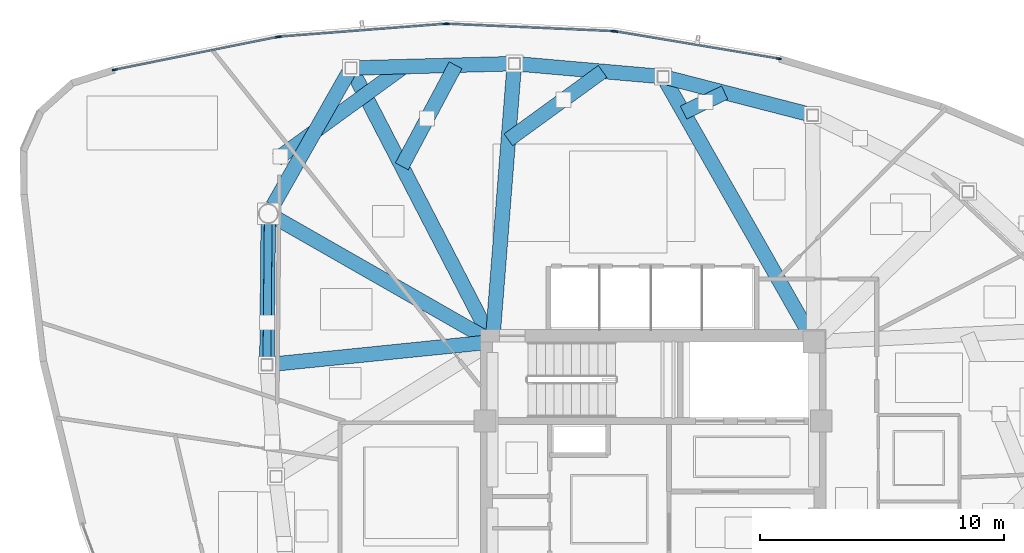
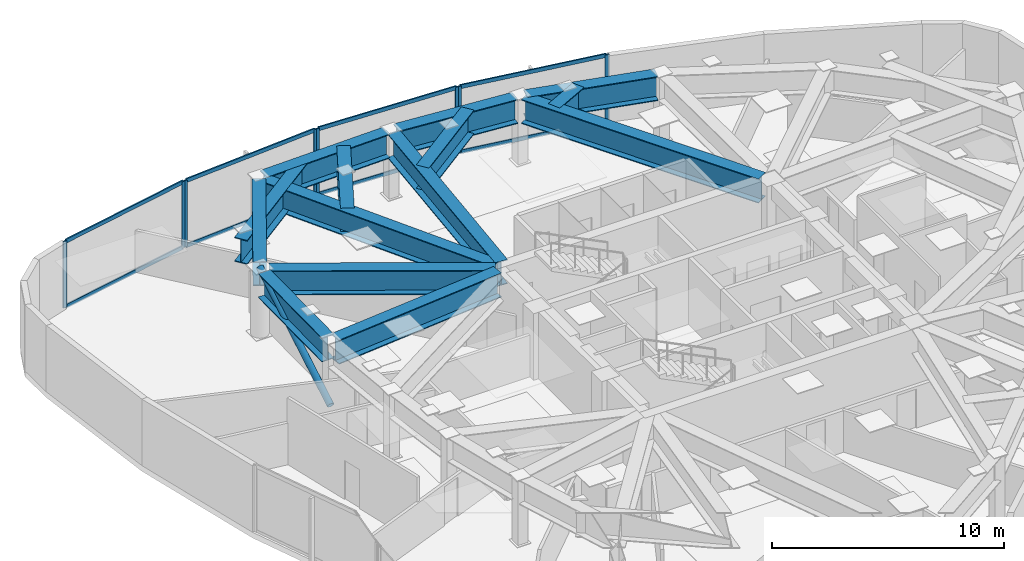
# One storey, part 5 of 13: 17 members, 14 beams, 4 elements without a shape of their own.
"""IFC4 building model written with IfcOpenShell, lengths in metres."""

import ifcopenshell
import ifcopenshell.guid

model = None  # the IFC model being written
_history = None  # IfcOwnerHistory: only IFC2X3 demands one
_inside = {}  # id of a spatial element -> (the spatial element, [elements in it])
_under = {}  # id of a project, library or spatial element -> (it, [spatial elements below it])
_declared = {}  # id of a project -> (the project, [libraries it declares])
_typed = {}  # id of a type object -> (the type object, [elements of that type])
_made_of = {}  # id of a material, layer set ... -> (it, [elements and type objects made of it])


def new_model(schema):
    """Start an empty IFC model of exactly this schema.

    Asked for "IFC4X3", IfcOpenShell would pick the latest addendum, in which some entities
    have other attributes; the version numbers below select the first issue.
    IFC2X3 requires an IfcOwnerHistory on every rooted entity: one is made here for all.
    """
    global model, _history
    if schema == "IFC4X3":
        model = ifcopenshell.file(schema_version=(4, 3, 0, 0))
    else:
        model = ifcopenshell.file(schema=schema)
    _inside.clear()
    _under.clear()
    _declared.clear()
    _typed.clear()
    _made_of.clear()
    _history = None
    if model.schema == "IFC2X3":
        org = make("IfcOrganization", Name="unknown")
        user = make(
            "IfcPersonAndOrganization",
            ThePerson=make("IfcPerson", FamilyName="unknown"),
            TheOrganization=org,
        )
        app = make(
            "IfcApplication",
            ApplicationDeveloper=org,
            Version="unknown",
            ApplicationFullName="unknown",
            ApplicationIdentifier="unknown",
        )
        _history = make(
            "IfcOwnerHistory",
            OwningUser=user,
            OwningApplication=app,
            ChangeAction="ADDED",
            CreationDate=0,
        )
    return model


def make(cls, **values):
    """One entity of the class cls with the attributes given. An attribute that is None is left unset."""
    return model.create_entity(
        cls, **{name: value for name, value in values.items() if value is not None}
    )


def rooted(cls, **values):
    """An entity with a GlobalId (a new one), such as an element, a storey or a relation."""
    return make(cls, GlobalId=ifcopenshell.guid.new(), OwnerHistory=_history, **values)


def si_unit(unit_type, name, prefix=None):
    """IfcSIUnit, for example si_unit("LENGTHUNIT", "METRE", prefix="MILLI")."""
    return make("IfcSIUnit", UnitType=unit_type, Prefix=prefix, Name=name)


def assignment(units):
    """IfcUnitAssignment: the units of a project."""
    return None if units is None else make("IfcUnitAssignment", Units=units)


def point(xyz):
    """IfcCartesianPoint."""
    return None if xyz is None else make("IfcCartesianPoint", Coordinates=xyz)


def direction(xyz):
    """IfcDirection."""
    return None if xyz is None else make("IfcDirection", DirectionRatios=xyz)


def frame(location, z_axis=None, x_axis=None):
    """IfcAxis2Placement3D, a coordinate frame: its origin and axes. An axis left out is left unset."""
    return make(
        "IfcAxis2Placement3D",
        Location=point(location),
        Axis=direction(z_axis),
        RefDirection=direction(x_axis),
    )


def frame_2d(location, x_axis=None):
    """IfcAxis2Placement2D, a coordinate frame in the plane: its origin and x axis."""
    return make(
        "IfcAxis2Placement2D", Location=point(location), RefDirection=direction(x_axis)
    )


def origin():
    """The frame at (0, 0, 0) with its axes left unset."""
    return frame((0.0, 0.0, 0.0))


def origin_2d():
    """The frame at (0, 0) in the plane with its x axis left unset."""
    return frame_2d((0.0, 0.0))


def place(relative_to, where):
    """IfcLocalPlacement: puts the frame where relative to a parent placement (None: the world)."""
    return make(
        "IfcLocalPlacement", PlacementRelTo=relative_to, RelativePlacement=where
    )


def context(
    kind, dimensions, precision=None, world=None, true_north=None, identifier=None
):
    """IfcGeometricRepresentationContext, for example the 3D "Model" context."""
    return make(
        "IfcGeometricRepresentationContext",
        ContextIdentifier=identifier,
        ContextType=kind,
        CoordinateSpaceDimension=dimensions,
        Precision=precision,
        WorldCoordinateSystem=world,
        TrueNorth=true_north,
    )


def subcontext(parent, identifier, kind, view, scale=None):
    """IfcGeometricRepresentationSubContext, for example "Body" below "Model"."""
    return make(
        "IfcGeometricRepresentationSubContext",
        ContextIdentifier=identifier,
        ContextType=kind,
        ParentContext=parent,
        TargetScale=scale,
        TargetView=view,
    )


def project(units=None, contexts=None):
    """IfcProject with its units and contexts."""
    return rooted(
        "IfcProject",
        Name="project",
        RepresentationContexts=contexts,
        UnitsInContext=assignment(units),
    )


def spatial(cls, under=None, at=None, **own):
    """A site, building, storey or space (cls), placed at a placement, below another one or the project."""
    s = rooted(cls, ObjectPlacement=at, **own)
    if under is not None:
        _under.setdefault(under.id(), (under, []))[1].append(s)
    return s


def profile(cls, at=None, kind="AREA", **sizes):
    """A parametric profile (cls). Its sizes go by their IFC names, for example OverallWidth=200.0."""
    return make(cls, ProfileType=kind, Position=at, **sizes)


def hollow_rectangle(**sizes):
    """IfcRectangleHollowProfileDef."""
    return profile("IfcRectangleHollowProfileDef", **sizes)


def hollow_circle(**sizes):
    """IfcCircleHollowProfileDef."""
    return profile("IfcCircleHollowProfileDef", **sizes)


def i_section(**sizes):
    """IfcIShapeProfileDef."""
    return profile("IfcIShapeProfileDef", **sizes)


def extrude(swept, where, along, depth):
    """IfcExtrudedAreaSolid: the profile swept, set in the frame where, extruded along a direction by depth."""
    return make(
        "IfcExtrudedAreaSolid",
        SweptArea=swept,
        Position=where,
        ExtrudedDirection=direction(along),
        Depth=depth,
    )


def shape(context_of_items, identifier, shape_type, items):
    """IfcShapeRepresentation: the items that make up one representation, for example the "Body"."""
    return make(
        "IfcShapeRepresentation",
        ContextOfItems=context_of_items,
        RepresentationIdentifier=identifier,
        RepresentationType=shape_type,
        Items=items,
    )


def source(mapping_origin, context_of_items, identifier, shape_type, items):
    """IfcRepresentationMap: a shape defined once, which mapped items show again and again."""
    return make(
        "IfcRepresentationMap",
        MappingOrigin=mapping_origin,
        MappedRepresentation=shape(context_of_items, identifier, shape_type, items),
    )


def transform(
    local_origin,
    x_axis=None,
    y_axis=None,
    z_axis=None,
    scale=None,
    scale2=None,
    scale3=None,
    uniform=True,
):
    """IfcCartesianTransformationOperator3D, or its non-uniform kind. x_axis, y_axis, z_axis: its Axis1, 2, 3."""
    if uniform:
        return make(
            "IfcCartesianTransformationOperator3D",
            Axis1=direction(x_axis),
            Axis2=direction(y_axis),
            LocalOrigin=point(local_origin),
            Scale=scale,
            Axis3=direction(z_axis),
        )
    return make(
        "IfcCartesianTransformationOperator3DnonUniform",
        Axis1=direction(x_axis),
        Axis2=direction(y_axis),
        LocalOrigin=point(local_origin),
        Scale=scale,
        Axis3=direction(z_axis),
        Scale2=scale2,
        Scale3=scale3,
    )


def mapped(mapping_source, mapping_target):
    """IfcMappedItem: shows the shape of a source again, moved by a transform."""
    return make(
        "IfcMappedItem", MappingSource=mapping_source, MappingTarget=mapping_target
    )


def material(Name=None, Category=None):
    """IfcMaterial."""
    return make("IfcMaterial", Name=Name, Category=Category)


def layer(
    of_material, thickness, ventilated=None, Name=None, Category=None, Priority=None
):
    """IfcMaterialLayer: one layer of a wall or slab, of a material (None: an air gap)."""
    return make(
        "IfcMaterialLayer",
        Material=of_material,
        LayerThickness=thickness,
        IsVentilated=ventilated,
        Name=Name,
        Category=Category,
        Priority=Priority,
    )


def layer_set(layers, Name=None):
    """IfcMaterialLayerSet."""
    return make("IfcMaterialLayerSet", MaterialLayers=layers, LayerSetName=Name)


def material_profile(
    of_material, cross_section, Name=None, Category=None, Priority=None
):
    """IfcMaterialProfile: a cross section and its material."""
    return make(
        "IfcMaterialProfile",
        Name=Name,
        Material=of_material,
        Profile=cross_section,
        Priority=Priority,
        Category=Category,
    )


def profile_set(profiles, Name=None, composite=None):
    """IfcMaterialProfileSet."""
    return make(
        "IfcMaterialProfileSet",
        Name=Name,
        MaterialProfiles=profiles,
        CompositeProfile=composite,
    )


def made_of(thing, what):
    """Note that an element or type object is made of a material, layer set ...; save() writes the relation."""
    if what is not None:
        _made_of.setdefault(what.id(), (what, []))[1].append(thing)
    return thing


def type_object(cls, material=None, **own):
    """A type object (cls), such as IfcWallType, which elements share."""
    return made_of(rooted(cls, **own), material)


def type_shapes(of_type, sources):
    """Give a type object the sources (RepresentationMaps) that its elements show as mapped items."""
    of_type.RepresentationMaps = sources


def element(
    cls,
    number,
    at=None,
    inside=None,
    cuts=None,
    type_object=None,
    material=None,
    context=None,
    identifier="Body",
    shape_type=None,
    held_by="IfcProductDefinitionShape",
    body=None,
    shapes=None,
    **own,
):
    """One element of the class cls, such as IfcWall. Its Tag is "e" and its number.

    at: its placement. inside: the storey or other place that contains it. cuts: it is an
    opening in that element (IfcRelVoidsElement). A single representation is given by context,
    identifier, shape_type and body (its items); several are given by shapes. held_by: the class
    of the entity that holds the representations. save() writes the other relations.
    """
    e = rooted(cls, Tag="e%d" % number, ObjectPlacement=at, **own)
    if body is not None:
        shapes = [shape(context, identifier, shape_type, body)]
    if shapes is not None:
        e.Representation = make(held_by, Representations=shapes)
    if inside is not None:
        _inside.setdefault(inside.id(), (inside, []))[1].append(e)
    if cuts is not None:
        rooted(
            "IfcRelVoidsElement", RelatingBuildingElement=cuts, RelatedOpeningElement=e
        )
    if type_object is not None:
        _typed.setdefault(type_object.id(), (type_object, []))[1].append(e)
    return made_of(e, material)


def aggregate(whole, parts):
    """IfcRelAggregates: a whole, such as a stair, and the parts it consists of."""
    return rooted("IfcRelAggregates", RelatingObject=whole, RelatedObjects=parts)


def save(model, path):
    """Write the relations noted so far, then the file.

    IfcRelAggregates (storeys below a building ...), IfcRelContainedInSpatialStructure (elements
    in a storey), IfcRelDefinesByType, IfcRelAssociatesMaterial and IfcRelDeclares: one each for
    every whole, place, type object, material and project.
    """
    for whole, parts in _under.values():
        aggregate(whole, parts)
    for where, things in _inside.values():
        rooted(
            "IfcRelContainedInSpatialStructure",
            RelatedElements=things,
            RelatingStructure=where,
        )
    for kind, things in _typed.values():
        rooted("IfcRelDefinesByType", RelatedObjects=things, RelatingType=kind)
    for what, things in _made_of.values():
        rooted("IfcRelAssociatesMaterial", RelatedObjects=things, RelatingMaterial=what)
    for by, libraries in _declared.values():
        rooted("IfcRelDeclares", RelatingContext=by, RelatedDefinitions=libraries)
    model.write(path)


model = new_model("IFC4")

# Units and contexts
model_context = context("Model", 3, precision=1e-05, world=origin(), true_north=direction((0.0, 1.0)))
body_context = subcontext(model_context, "Body", "Model", "MODEL_VIEW")
ifc_project = project(units=[si_unit("LENGTHUNIT", "METRE"), si_unit("AREAUNIT", "SQUARE_METRE"), si_unit("VOLUMEUNIT", "CUBIC_METRE"), si_unit("PLANEANGLEUNIT", "RADIAN"), si_unit("MASSUNIT", "GRAM", prefix="KILO")], contexts=[model_context])

# Site, building, storey
site_placement = place(None, origin())
site = spatial("IfcSite", under=ifc_project, at=site_placement, CompositionType="ELEMENT")
building_placement = place(site_placement, origin())
building = spatial("IfcBuilding", under=site, at=building_placement, Name="Tavelor Broadcast Tower", CompositionType="ELEMENT")
storey_placement = place(building_placement, frame((0.0, 0.0, 269.550048828125)))
storey = spatial("IfcBuildingStorey", under=building, at=storey_placement, Name="L64", CompositionType="ELEMENT", Elevation=269.550048828125)

# Member
ifc_material_1 = material(Name="Steel S355", Category="steel")
ifc_material_profile_1 = material_profile(ifc_material_1, hollow_circle(Radius=0.161865234375, WallThickness=0.01611328125, at=origin_2d()), Name="CHS 323.9x16")
ifc_profile_set_1 = profile_set([ifc_material_profile_1], Name="Steel S355")
member_type_1 = type_object("IfcMemberType", Name="Perimeter Tube Brace T6 CHS 323.9x16", PredefinedType="BRACE", material=ifc_profile_set_1)
member_1_placement = place(storey_placement, frame((34.13720703125, 50.255859375, 0.0), z_axis=(0.008293951641, 0.870933467368, 0.491330953415), x_axis=(-0.999954658748, 0.009522628184, 0.0)))
element("IfcMember", 1, at=member_1_placement, inside=storey, type_object=member_type_1, Name="L64 Corner Tube Diagonal Brace 1", PredefinedType="BRACE", context=body_context, shape_type="SweptSolid", body=[
    extrude(hollow_circle(Radius=0.161865234375, WallThickness=0.01611328125, at=origin_2d()), origin(), (0.0, 0.0, 1.0), 7.12353515625),
])

# Beams
ifc_material_2 = material(Name="Steel S460", Category="steel")
ifc_material_profile_2 = material_profile(ifc_material_2, i_section(OverallWidth=0.60009765625, OverallDepth=1.280029296875, WebThickness=0.02587890625, FlangeThickness=0.044921875, at=origin_2d()), Name="PG 1280x600")
ifc_profile_set_2 = profile_set([ifc_material_profile_2], Name="Steel S460")
beam_type = type_object("IfcBeamType", Name="Upper Setback Transfer Girder PG1350", PredefinedType="BEAM", material=ifc_profile_set_2)
beam_1_placement = place(storey_placement, frame((34.192626953125, 56.069580078125, 2.85986328125), z_axis=(-0.009548403943, -0.999954412952, 0.0), x_axis=(0.999954412952, -0.009548403943, 0.0)))
element("IfcBeam", 2, at=beam_1_placement, inside=storey, type_object=beam_type, Name="L64 Framed-Tube Ring Spandrel 01", PredefinedType="BEAM", context=body_context, shape_type="SweptSolid", body=[
    extrude(i_section(OverallWidth=0.60009765625, OverallDepth=1.280029296875, WebThickness=0.02587890625, FlangeThickness=0.044921875, at=origin_2d()), origin(), (0.0, 0.0, 1.0), 5.573974609375),
])
beam_2_placement = place(storey_placement, frame((56.313232421875, 60.56396484375, 2.85986328125), z_axis=(-0.968399822455, 0.249402854572, 0.0), x_axis=(-0.249402854572, -0.968399822455, 0.0)))
element("IfcBeam", 3, at=beam_2_placement, inside=storey, type_object=beam_type, Name="L64 Framed-Tube Ring Spandrel 15", PredefinedType="BEAM", context=body_context, shape_type="SweptSolid", body=[
    extrude(i_section(OverallWidth=0.60009765625, OverallDepth=1.280029296875, WebThickness=0.02587890625, FlangeThickness=0.044921875, at=origin_2d()), origin(), (0.0, 0.0, 1.0), 5.858642578125),
])
beam_3_placement = place(storey_placement, frame((50.168212890625, 62.10595703125, 2.85986328125), z_axis=(-0.996167133993, 0.08747023009, 0.0), x_axis=(-0.08747023009, -0.996167133993, 0.0)))
element("IfcBeam", 4, at=beam_3_placement, inside=storey, type_object=beam_type, Name="L64 Framed-Tube Ring Spandrel 16", PredefinedType="BEAM", context=body_context, shape_type="SweptSolid", body=[
    extrude(i_section(OverallWidth=0.60009765625, OverallDepth=1.280029296875, WebThickness=0.02587890625, FlangeThickness=0.044921875, at=origin_2d()), origin(), (0.0, 0.0, 1.0), 5.652099609375),
])
beam_4_placement = place(storey_placement, frame((44.058837890625, 62.61474609375, 2.85986328125), z_axis=(-0.99963121329, -0.027155798934, 0.0), x_axis=(0.027155798934, -0.99963121329, 0.0)))
element("IfcBeam", 5, at=beam_4_placement, inside=storey, type_object=beam_type, Name="L64 Framed-Tube Ring Spandrel 17", PredefinedType="BEAM", context=body_context, shape_type="SweptSolid", body=[
    extrude(i_section(OverallWidth=0.60009765625, OverallDepth=1.280029296875, WebThickness=0.02587890625, FlangeThickness=0.044921875, at=origin_2d()), origin(), (0.0, 0.0, 1.0), 6.230224609375),
])
beam_5_placement = place(storey_placement, frame((37.472412109375, 62.23046875, 2.85986328125), z_axis=(-0.493720585512, -0.869620597411, 0.0), x_axis=(0.869620597411, -0.493720585512, 0.0)))
element("IfcBeam", 6, at=beam_5_placement, inside=storey, type_object=beam_type, Name="L64 Framed-Tube Ring Spandrel 18", PredefinedType="BEAM", context=body_context, shape_type="SweptSolid", body=[
    extrude(i_section(OverallWidth=0.60009765625, OverallDepth=1.280029296875, WebThickness=0.02587890625, FlangeThickness=0.044921875, at=origin_2d()), origin(), (0.0, 0.0, 1.0), 6.245361328125),
])
beam_6_placement = place(storey_placement, frame((43.02490234375, 51.414306640625, 2.85986328125), z_axis=(-0.868209338365, 0.496198090259, 0.0), x_axis=(-0.496198090259, -0.868209338365, 0.0)))
element("IfcBeam", 7, at=beam_6_placement, inside=storey, type_object=beam_type, Name="L64 Radial Primary Floor Girder 01", PredefinedType="BEAM", context=body_context, shape_type="SweptSolid", body=[
    extrude(i_section(OverallWidth=0.60009765625, OverallDepth=1.280029296875, WebThickness=0.02587890625, FlangeThickness=0.044921875, at=origin_2d()), origin(), (0.0, 0.0, 1.0), 9.778564453125),
])
beam_7_placement = place(storey_placement, frame((42.97021484375, 51.15625, 2.85986328125), z_axis=(-0.994845668858, -0.101400666436, 0.0), x_axis=(0.101400666436, -0.994845668858, 0.0)))
element("IfcBeam", 8, at=beam_7_placement, inside=storey, type_object=beam_type, Name="L64 Radial Primary Floor Girder 02", PredefinedType="BEAM", context=body_context, shape_type="SweptSolid", body=[
    extrude(i_section(OverallWidth=0.60009765625, OverallDepth=1.280029296875, WebThickness=0.02587890625, FlangeThickness=0.044921875, at=origin_2d()), origin(), (0.0, 0.0, 1.0), 8.638671875),
])
beam_8_placement = place(storey_placement, frame((56.386474609375, 51.575439453125, 2.85986328125), z_axis=(-0.49450305234, 0.869175891996, 0.0), x_axis=(-0.869175891996, -0.49450305234, 0.0)))
element("IfcBeam", 9, at=beam_8_placement, inside=storey, type_object=beam_type, Name="L64 Radial Primary Floor Girder 16", PredefinedType="BEAM", context=body_context, shape_type="SweptSolid", body=[
    extrude(i_section(OverallWidth=0.60009765625, OverallDepth=1.280029296875, WebThickness=0.02587890625, FlangeThickness=0.044921875, at=origin_2d()), origin(), (0.0, 0.0, 1.0), 11.8515625),
])
beam_9_placement = place(storey_placement, frame((43.433837890625, 51.630615234375, 2.85986328125), z_axis=(0.078462115784, 0.996917096045, 0.0), x_axis=(-0.996917096045, 0.078462115784, 0.0)))
element("IfcBeam", 10, at=beam_9_placement, inside=storey, type_object=beam_type, Name="L64 Radial Primary Floor Girder 17", PredefinedType="BEAM", context=body_context, shape_type="SweptSolid", body=[
    extrude(i_section(OverallWidth=0.60009765625, OverallDepth=1.280029296875, WebThickness=0.02587890625, FlangeThickness=0.044921875, at=origin_2d()), origin(), (0.0, 0.0, 1.0), 10.78466796875),
])
beam_10_placement = place(storey_placement, frame((43.20166015625, 51.583740234375, 2.85986328125), z_axis=(-0.459156775605, 0.888355252934, 0.0), x_axis=(-0.888355252934, -0.459156775605, 0.0)))
element("IfcBeam", 11, at=beam_10_placement, inside=storey, type_object=beam_type, Name="L64 Radial Primary Floor Girder 18", PredefinedType="BEAM", context=body_context, shape_type="SweptSolid", body=[
    extrude(i_section(OverallWidth=0.60009765625, OverallDepth=1.280029296875, WebThickness=0.02587890625, FlangeThickness=0.044921875, at=origin_2d()), origin(), (0.0, 0.0, 1.0), 11.9794921875),
])
beam_11_placement = place(storey_placement, frame((51.24560546875, 60.611083984375, 2.85986328125), z_axis=(0.898778441589, 0.438403139742, 0.0), x_axis=(-0.438403139742, 0.898778441589, 0.0)))
element("IfcBeam", 12, at=beam_11_placement, inside=storey, type_object=beam_type, Name="L64 Transfer Header Girder 15", PredefinedType="BEAM", context=body_context, shape_type="SweptSolid", body=[
    extrude(i_section(OverallWidth=0.60009765625, OverallDepth=1.280029296875, WebThickness=0.02587890625, FlangeThickness=0.044921875, at=origin_2d()), origin(), (0.0, 0.0, 1.0), 1.8779296875),
])
beam_12_placement = place(storey_placement, frame((44.052490234375, 59.4931640625, 2.85986328125), z_axis=(0.809031886255, 0.587764754832, 0.0), x_axis=(-0.587764754832, 0.809031886255, 0.0)))
element("IfcBeam", 13, at=beam_12_placement, inside=storey, type_object=beam_type, Name="L64 Transfer Header Girder 16", PredefinedType="BEAM", context=body_context, shape_type="SweptSolid", body=[
    extrude(i_section(OverallWidth=0.60009765625, OverallDepth=1.280029296875, WebThickness=0.02587890625, FlangeThickness=0.044921875, at=origin_2d()), origin(), (0.0, 0.0, 1.0), 4.781005859375),
])
beam_13_placement = place(storey_placement, frame((39.677001953125, 58.403076171875, 2.85986328125), z_axis=(0.469477806232, 0.882944273131, 0.0), x_axis=(-0.882944273131, 0.469477806232, 0.0)))
element("IfcBeam", 14, at=beam_13_placement, inside=storey, type_object=beam_type, Name="L64 Transfer Header Girder 17", PredefinedType="BEAM", context=body_context, shape_type="SweptSolid", body=[
    extrude(i_section(OverallWidth=0.60009765625, OverallDepth=1.280029296875, WebThickness=0.02587890625, FlangeThickness=0.044921875, at=origin_2d()), origin(), (0.0, 0.0, 1.0), 4.703125),
])
beam_14_placement = place(storey_placement, frame((39.766845703125, 62.498291015625, 2.85986328125), z_axis=(-0.809005798971, -0.587800661136, 0.0), x_axis=(0.587800661136, -0.809005798971, 0.0)))
element("IfcBeam", 15, at=beam_14_placement, inside=storey, type_object=beam_type, Name="L64 Cantilever Transfer Girder 18", PredefinedType="BEAM", context=body_context, shape_type="SweptSolid", body=[
    extrude(i_section(OverallWidth=0.60009765625, OverallDepth=1.280029296875, WebThickness=0.02587890625, FlangeThickness=0.044921875, at=origin_2d()), origin(), (0.0, 0.0, 1.0), 6.45654296875),
])

# Curtain wall, members
ifc_material_3 = material(Name="Architectural Anodized Aluminium", Category="aluminium")
ifc_layer = layer(ifc_material_3, 0.199951171875)
ifc_layer_set = layer_set([ifc_layer], Name="Architectural Anodized Aluminium")
curtain_wall_type = type_object("IfcCurtainWallType", Name="Tower High-Zone Triple-Glazed Curtain Wall CW04", PredefinedType="NOTDEFINED", material=ifc_layer_set)
curtain_wall_1_placement = place(storey_placement, origin())
curtain_wall_1 = element("IfcCurtainWall", 16, at=curtain_wall_1_placement, inside=storey, type_object=curtain_wall_type, Name="L64 Curtain Wall CW04 Run 705", PredefinedType="NOTDEFINED")
ifc_material_profile_3 = material_profile(ifc_material_3, hollow_rectangle(XDim=0.070068359375, YDim=0.199951171875, WallThickness=0.02197265625, at=origin_2d()), Name="RHS 70x200x22")
ifc_profile_set_3 = profile_set([ifc_material_profile_3], Name="Architectural Anodized Aluminium")
member_type_2 = type_object("IfcMemberType", Name="CW04 Extruded Aluminium Mullion 70x200", PredefinedType="MULLION", material=ifc_profile_set_3)
shared_shape_1 = source(origin(), body_context, "Body", "SweptSolid", [
    extrude(hollow_rectangle(XDim=0.070068359375, YDim=0.199951171875, WallThickness=0.02197265625, at=origin_2d()), origin(), (0.0, 0.0, 1.0), 3.5),
])
type_shapes(member_type_2, [shared_shape_1])
member_2_placement = place(storey_placement, frame((55.161865234375, 62.822265625, 0.0), z_axis=(0.0, 0.0, 1.0), x_axis=(-0.164608647627, -0.986358957543, 0.0)))
member_2 = element("IfcMember", 17, at=member_2_placement, type_object=member_type_2, Name="CW04 mullion 1", PredefinedType="MULLION", context=body_context, shape_type="MappedRepresentation", body=[
    mapped(shared_shape_1, transform((0.0, 0.0, 0.0), scale=1.0)),
])
member_3_placement = place(storey_placement, frame((48.441162109375, 63.94384765625, 0.0), z_axis=(0.0, 0.0, 1.0), x_axis=(-0.164608647627, -0.986358957543, 0.0)))
member_3 = element("IfcMember", 18, at=member_3_placement, type_object=member_type_2, Name="CW04 mullion 2", PredefinedType="MULLION", context=body_context, shape_type="MappedRepresentation", body=[
    mapped(shared_shape_1, transform((0.0, 0.0, 0.0), scale=1.0)),
])

curtain_wall_2_placement = place(storey_placement, origin())
curtain_wall_2 = element("IfcCurtainWall", 19, at=curtain_wall_2_placement, inside=storey, type_object=curtain_wall_type, Name="L64 Curtain Wall CW04 Run 706", PredefinedType="NOTDEFINED")
member_4_placement = place(storey_placement, frame((48.342041015625, 63.954345703125, 0.0), z_axis=(0.0, 0.0, 1.0), x_axis=(-0.044055756826, -0.999029073796, 0.0)))
member_4 = element("IfcMember", 20, at=member_4_placement, type_object=member_type_2, Name="CW04 mullion 1", PredefinedType="MULLION", context=body_context, shape_type="MappedRepresentation", body=[
    mapped(shared_shape_1, transform((0.0, 0.0, 0.0), scale=1.0)),
])
member_5_placement = place(storey_placement, frame((41.550048828125, 64.25390625, 0.0), z_axis=(0.0, 0.0, 1.0), x_axis=(-0.044055756826, -0.999029073796, 0.0)))
member_5 = element("IfcMember", 21, at=member_5_placement, type_object=member_type_2, Name="CW04 mullion 2", PredefinedType="MULLION", context=body_context, shape_type="MappedRepresentation", body=[
    mapped(shared_shape_1, transform((0.0, 0.0, 0.0), scale=1.0)),
])

curtain_wall_3_placement = place(storey_placement, origin())
curtain_wall_3 = element("IfcCurtainWall", 22, at=curtain_wall_3_placement, inside=storey, type_object=curtain_wall_type, Name="L64 Curtain Wall CW04 Run 707", PredefinedType="NOTDEFINED")
member_6_placement = place(storey_placement, frame((41.4501953125, 64.252197265625, 0.0), z_axis=(0.0, 0.0, 1.0), x_axis=(0.077177452007, -0.997017372417, 0.0)))
member_6 = element("IfcMember", 23, at=member_6_placement, type_object=member_type_2, Name="CW04 mullion 1", PredefinedType="MULLION", context=body_context, shape_type="MappedRepresentation", body=[
    mapped(shared_shape_1, transform((0.0, 0.0, 0.0), scale=1.0)),
])
member_7_placement = place(storey_placement, frame((34.671875, 63.7275390625, 0.0), z_axis=(0.0, 0.0, 1.0), x_axis=(0.077177452007, -0.997017372417, 0.0)))
member_7 = element("IfcMember", 24, at=member_7_placement, type_object=member_type_2, Name="CW04 mullion 2", PredefinedType="MULLION", context=body_context, shape_type="MappedRepresentation", body=[
    mapped(shared_shape_1, transform((0.0, 0.0, 0.0), scale=1.0)),
])

curtain_wall_4_placement = place(storey_placement, origin())
curtain_wall_4 = element("IfcCurtainWall", 25, at=curtain_wall_4_placement, inside=storey, type_object=curtain_wall_type, Name="L64 Curtain Wall CW04 Run 708", PredefinedType="NOTDEFINED")
member_8_placement = place(storey_placement, frame((34.5732421875, 63.7138671875, 0.0), z_axis=(0.0, 0.0, 1.0), x_axis=(0.197255692292, -0.98035207546, 0.0)))
member_8 = element("IfcMember", 26, at=member_8_placement, type_object=member_type_2, Name="CW04 mullion 1", PredefinedType="MULLION", context=body_context, shape_type="MappedRepresentation", body=[
    mapped(shared_shape_1, transform((0.0, 0.0, 0.0), scale=1.0)),
])
member_9_placement = place(storey_placement, frame((27.892578125, 62.36962890625, 0.0), z_axis=(0.0, 0.0, 1.0), x_axis=(0.197255692292, -0.98035207546, 0.0)))
member_9 = element("IfcMember", 27, at=member_9_placement, type_object=member_type_2, Name="CW04 mullion 2", PredefinedType="MULLION", context=body_context, shape_type="MappedRepresentation", body=[
    mapped(shared_shape_1, transform((0.0, 0.0, 0.0), scale=1.0)),
])

# Member
ifc_material_profile_4 = material_profile(ifc_material_3, hollow_rectangle(XDim=0.070068359375, YDim=0.199951171875, WallThickness=0.02197265625, at=origin_2d()), Name="RHS 70x200x22")
ifc_profile_set_4 = profile_set([ifc_material_profile_4], Name="Architectural Anodized Aluminium")
member_type_3 = type_object("IfcMemberType", Name="CW04 Extruded Aluminium Transom 70x200", PredefinedType="USERDEFINED", material=ifc_profile_set_4)
shared_shape_2 = source(origin(), body_context, "Body", "SweptSolid", [
    extrude(hollow_rectangle(XDim=0.070068359375, YDim=0.199951171875, WallThickness=0.02197265625, at=origin_2d()), origin(), (0.0, 0.0, 1.0), 6.74365234375),
])
member_10_placement = place(storey_placement, frame((55.12744140625, 62.828125, 0.034912109375), z_axis=(-0.986357696659, 0.164616202852, 0.0), x_axis=(-0.164616202852, -0.986357696659, 0.0)))
member_10 = element("IfcMember", 28, at=member_10_placement, type_object=member_type_3, Name="CW04 transom 1.1", ObjectType="TRANSOM", PredefinedType="USERDEFINED", context=body_context, shape_type="MappedRepresentation", body=[
    mapped(shared_shape_2, transform((0.0, 0.0, 0.0), scale=1.0)),
])

member_11_placement = place(storey_placement, frame((55.12744140625, 62.828125, 3.46484375), z_axis=(-0.986357696659, 0.164616202852, 0.0), x_axis=(-0.164616202852, -0.986357696659, 0.0)))
member_11 = element("IfcMember", 29, at=member_11_placement, type_object=member_type_3, Name="CW04 transom 1.2", ObjectType="TRANSOM", PredefinedType="USERDEFINED", context=body_context, shape_type="MappedRepresentation", body=[
    mapped(shared_shape_2, transform((0.0, 0.0, 0.0), scale=1.0)),
])

aggregate(curtain_wall_1, [member_2, member_3, member_10, member_11])

shared_shape_3 = source(origin(), body_context, "Body", "SweptSolid", [
    extrude(hollow_rectangle(XDim=0.070068359375, YDim=0.199951171875, WallThickness=0.02197265625, at=origin_2d()), origin(), (0.0, 0.0, 1.0), 6.744384765625),
])
member_12_placement = place(storey_placement, frame((34.538818359375, 63.70703125, 0.034912109375), z_axis=(-0.980353076548, -0.197250716864, 0.0), x_axis=(0.197250716864, -0.980353076548, 0.0)))
member_12 = element("IfcMember", 30, at=member_12_placement, type_object=member_type_3, Name="CW04 transom 1.1", ObjectType="TRANSOM", PredefinedType="USERDEFINED", context=body_context, shape_type="MappedRepresentation", body=[
    mapped(shared_shape_3, transform((0.0, 0.0, 0.0), scale=1.0)),
])

member_13_placement = place(storey_placement, frame((34.538818359375, 63.70703125, 3.46484375), z_axis=(-0.980353076548, -0.197250716864, 0.0), x_axis=(0.197250716864, -0.980353076548, 0.0)))
member_13 = element("IfcMember", 31, at=member_13_placement, type_object=member_type_3, Name="CW04 transom 1.2", ObjectType="TRANSOM", PredefinedType="USERDEFINED", context=body_context, shape_type="MappedRepresentation", body=[
    mapped(shared_shape_3, transform((0.0, 0.0, 0.0), scale=1.0)),
])

aggregate(curtain_wall_4, [member_8, member_9, member_12, member_13])

shared_shape_4 = source(origin(), body_context, "Body", "SweptSolid", [
    extrude(hollow_rectangle(XDim=0.070068359375, YDim=0.199951171875, WallThickness=0.02197265625, at=origin_2d()), origin(), (0.0, 0.0, 1.0), 6.728759765625),
])
type_shapes(member_type_3, [shared_shape_2, shared_shape_3, shared_shape_4])
member_14_placement = place(storey_placement, frame((48.30712890625, 63.9560546875, 0.034912109375), z_axis=(-0.999029409312, 0.04404814785, 0.0), x_axis=(-0.04404814785, -0.999029409312, 0.0)))
member_14 = element("IfcMember", 32, at=member_14_placement, type_object=member_type_3, Name="CW04 transom 1.1", ObjectType="TRANSOM", PredefinedType="USERDEFINED", context=body_context, shape_type="MappedRepresentation", body=[
    mapped(shared_shape_4, transform((0.0, 0.0, 0.0), scale=1.0)),
])

member_15_placement = place(storey_placement, frame((48.30712890625, 63.9560546875, 3.46484375), z_axis=(-0.999029409312, 0.04404814785, 0.0), x_axis=(-0.04404814785, -0.999029409312, 0.0)))
member_15 = element("IfcMember", 33, at=member_15_placement, type_object=member_type_3, Name="CW04 transom 1.2", ObjectType="TRANSOM", PredefinedType="USERDEFINED", context=body_context, shape_type="MappedRepresentation", body=[
    mapped(shared_shape_4, transform((0.0, 0.0, 0.0), scale=1.0)),
])

aggregate(curtain_wall_2, [member_4, member_5, member_14, member_15])

member_16_placement = place(storey_placement, frame((41.41552734375, 64.24951171875, 0.034912109375), z_axis=(-0.99701766154, -0.077173716878, 0.0), x_axis=(0.077173716878, -0.99701766154, 0.0)))
member_16 = element("IfcMember", 34, at=member_16_placement, type_object=member_type_3, Name="CW04 transom 1.1", ObjectType="TRANSOM", PredefinedType="USERDEFINED", context=body_context, shape_type="MappedRepresentation", body=[
    mapped(shared_shape_4, transform((0.0, 0.0, 0.0), scale=1.0)),
])

member_17_placement = place(storey_placement, frame((41.41552734375, 64.24951171875, 3.46484375), z_axis=(-0.99701766154, -0.077173716878, 0.0), x_axis=(0.077173716878, -0.99701766154, 0.0)))
member_17 = element("IfcMember", 35, at=member_17_placement, type_object=member_type_3, Name="CW04 transom 1.2", ObjectType="TRANSOM", PredefinedType="USERDEFINED", context=body_context, shape_type="MappedRepresentation", body=[
    mapped(shared_shape_4, transform((0.0, 0.0, 0.0), scale=1.0)),
])

aggregate(curtain_wall_3, [member_6, member_7, member_16, member_17])

save(model, "model.ifc")
